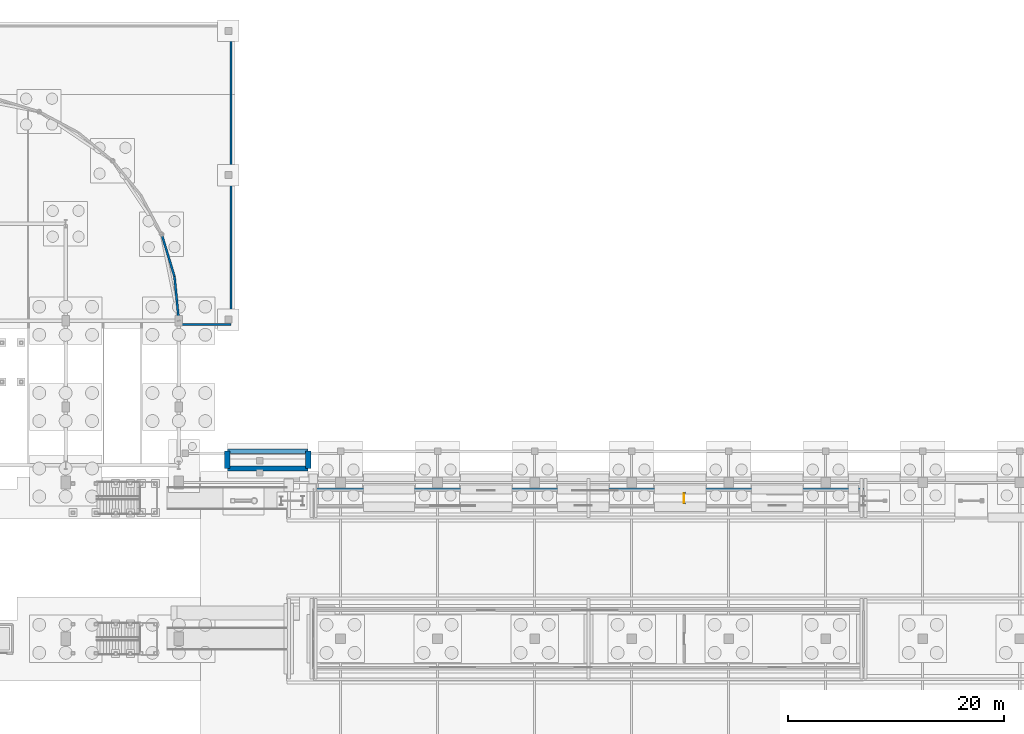
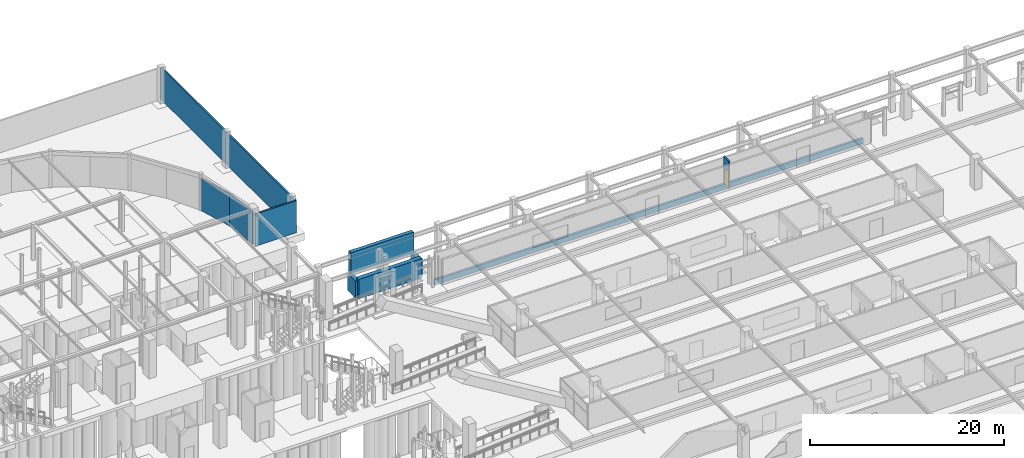
# One storey, part 112 of 160: 10 walls, 1 door, 1 opening.
"""IFC4 building model written with IfcOpenShell, lengths in metres."""

from ifc_helpers import new_model, si_unit, direction, frame, frame_2d, origin, place, context, subcontext, project, spatial, rectangle, extrude, material, layer, layer_set, type_object, element, fill, save


model = new_model("IFC4")

# Units and contexts
model_context = context("Model", 3, precision=1e-05, world=origin(), true_north=direction((0.0, 1.0)))
body_context = subcontext(model_context, "Body", "Model", "MODEL_VIEW")
ifc_project = project(units=[si_unit("LENGTHUNIT", "METRE"), si_unit("AREAUNIT", "SQUARE_METRE"), si_unit("VOLUMEUNIT", "CUBIC_METRE"), si_unit("PLANEANGLEUNIT", "RADIAN"), si_unit("MASSUNIT", "GRAM", prefix="KILO")], contexts=[model_context])

# Site, building, storey
site_placement = place(None, origin())
site = spatial("IfcSite", under=ifc_project, at=site_placement, CompositionType="ELEMENT")
building_placement = place(site_placement, origin())
building = spatial("IfcBuilding", under=site, at=building_placement, Name="Marlcrest Central Station", CompositionType="ELEMENT")
storey_placement = place(building_placement, origin())
storey = spatial("IfcBuildingStorey", under=building, at=storey_placement, Name="L00", CompositionType="ELEMENT", Elevation=0.0)

# Walls
ifc_material_1 = material(Name="Concrete C40/50", Category="concrete")
ifc_layer_1 = layer(ifc_material_1, 0.199951171875, Name="EP-01")
ifc_layer_set_1 = layer_set([ifc_layer_1], Name="Concrete C40/50")
wall_type_1 = type_object("IfcWallType", Name="EP-01", PredefinedType="PARAPET", material=ifc_layer_set_1)
wall_1_placement = place(storey_placement, frame((127.40087890625, 118.535888671875, 0.0), z_axis=(0.0, 0.0, 1.0), x_axis=(0.290328377828, -0.956927078218, 0.0)))
element("IfcWall", 1, at=wall_1_placement, inside=storey, type_object=wall_type_1, Name="ewall-L00-0259", PredefinedType="PARAPET", context=body_context, shape_type="SweptSolid", body=[
    extrude(rectangle(XDim=4.1162109375, YDim=0.199951171875, at=frame_2d((2.05810546875, 0.0))), origin(), (0.0, 0.0, 1.0), 4.0400390625),
])
wall_2_placement = place(storey_placement, frame((128.595947265625, 114.596923828125, 0.0), z_axis=(0.0, 0.0, 1.0), x_axis=(0.098147279383, -0.995171900502, 0.0)))
element("IfcWall", 2, at=wall_2_placement, inside=storey, type_object=wall_type_1, Name="ewall-L00-0260", PredefinedType="PARAPET", context=body_context, shape_type="SweptSolid", body=[
    extrude(rectangle(XDim=4.11669921875, YDim=0.199951171875, at=frame_2d((2.058349609375, 0.0))), origin(), (0.0, 0.0, 1.0), 4.0400390625),
])
wall_3_placement = place(storey_placement, frame((133.85009765625, 137.85009765625, 0.0), z_axis=(0.0, 0.0, 1.0), x_axis=(0.0, -1.0, 0.0)))
element("IfcWall", 3, at=wall_3_placement, inside=storey, type_object=wall_type_1, Name="ewall-L00-0263", PredefinedType="PARAPET", context=body_context, shape_type="SweptSolid", body=[
    extrude(rectangle(XDim=27.7001953125, YDim=0.199951171875, at=frame_2d((13.85009765625, 0.0))), origin(), (0.0, 0.0, 1.0), 4.0400390625),
])
wall_4_placement = place(storey_placement, frame((133.85009765625, 110.14990234375, 0.0), z_axis=(0.0, 0.0, 1.0), x_axis=(-1.0, 0.0, 0.0)))
element("IfcWall", 4, at=wall_4_placement, inside=storey, type_object=wall_type_1, Name="ewall-L00-0264", PredefinedType="PARAPET", context=body_context, shape_type="SweptSolid", body=[
    extrude(rectangle(XDim=4.85009765625, YDim=0.199951171875, at=frame_2d((2.425048828125, 0.0))), origin(), (0.0, 0.0, 1.0), 4.0400390625),
])

# Wall, opening, door
ifc_material_2 = material(Name="Fire-rated corridor blockwork partition", Category="masonry")
ifc_layer_2 = layer(ifc_material_2, 0.179931640625, Name="PT-04")
ifc_layer_set_2 = layer_set([ifc_layer_2], Name="Fire-rated corridor blockwork partition")
wall_type_2 = type_object("IfcWallType", Name="PT-04", PredefinedType="PARTITIONING", material=ifc_layer_set_2)
wall_5_placement = place(storey_placement, frame((175.860107421875, 93.510009765625, 0.9150390625), z_axis=(0.0, 0.0, 1.0), x_axis=(0.0, 1.0, 0.0)))
wall_5 = element("IfcWall", 5, at=wall_5_placement, inside=storey, type_object=wall_type_2, Name="iwall-L00-00027", PredefinedType="PARTITIONING", context=body_context, shape_type="SweptSolid", body=[
    extrude(rectangle(XDim=1.080078125, YDim=0.179931640625, at=frame_2d((0.5400390625, 0.0))), origin(), (0.0, 0.0, 1.0), 3.43505859375),
])
opening_placement = place(wall_5_placement, frame((0.080078125, 0.0, 0.0)))
opening = element("IfcOpeningElement", 6, at=opening_placement, cuts=wall_5, Name="Opening ID-07", PredefinedType="OPENING", context=body_context, shape_type="SweptSolid", body=[
    extrude(rectangle(XDim=0.919921875, YDim=2.10009765625, at=frame_2d((0.4599609375, 1.050048828125))), frame((0.0, 0.099853515625, 0.0), z_axis=(0.0, -1.0, 0.0), x_axis=(1.0, 0.0, 0.0)), (0.0, 0.0, 1.0), 0.199951171875),
])
ifc_material_3 = material(Name="Cleaner and store room door")
door_type = type_object("IfcDoorType", Name="ID-07", OperationType="NOTDEFINED", PredefinedType="DOOR", material=ifc_material_3)
door_placement = place(opening_placement, origin())
door = element("IfcDoor", 7, at=door_placement, inside=storey, type_object=door_type, Name="L00-PC5 0019", OperationType="SINGLE_SWING_RIGHT", OverallHeight=2.10009765625, OverallWidth=0.919921875, PredefinedType="DOOR", context=body_context, shape_type="SweptSolid", body=[
    extrude(rectangle(XDim=0.919921875, YDim=2.10009765625, at=frame_2d((0.4599609375, 1.050048828125))), frame((0.0, 0.02490234375, 0.0), z_axis=(0.0, -1.0, 0.0), x_axis=(1.0, 0.0, 0.0)), (0.0, 0.0, 1.0), 0.050048828125),
])
fill(opening, door)

# Walls
ifc_material_4 = material(Name="Concrete C35/45", Category="concrete")
ifc_layer_3 = layer(ifc_material_4, 0.27490234375, Name="PW-01")
ifc_layer_set_3 = layer_set([ifc_layer_3], Name="Concrete C35/45")
wall_type_3 = type_object("IfcWallType", Name="PW-01", PredefinedType="SOLIDWALL", material=ifc_layer_set_3)
wall_6_placement = place(storey_placement, frame((141.5, 94.85009765625, 0.0), z_axis=(0.0, 0.0, 1.0), x_axis=(1.0, 0.0, 0.0)))
element("IfcWall", 8, at=wall_6_placement, inside=storey, type_object=wall_type_3, Name="swall-L00-0157", PredefinedType="SOLIDWALL", context=body_context, shape_type="SweptSolid", body=[
    extrude(rectangle(XDim=51.0, YDim=0.27490234375, at=frame_2d((25.5, 0.0))), origin(), (0.0, 0.0, 1.0), 0.675048828125),
])
ifc_layer_4 = layer(ifc_material_1, 0.449951171875, Name="RW-01")
ifc_layer_set_4 = layer_set([ifc_layer_4], Name="Concrete C40/50")
wall_type_4 = type_object("IfcWallType", Name="RW-01", PredefinedType="USERDEFINED", material=ifc_layer_set_4)
wall_7_placement = place(storey_placement, frame((133.5, 98.39990234375, 2.14990234375), z_axis=(0.0, 0.0, 1.0), x_axis=(1.0, 0.0, 0.0)))
element("IfcWall", 9, at=wall_7_placement, inside=storey, type_object=wall_type_4, Name="swall-L00-0052", ObjectType="RETAINING_WALL", PredefinedType="USERDEFINED", context=body_context, shape_type="SweptSolid", body=[
    extrude(rectangle(XDim=7.5, YDim=0.449951171875, at=frame_2d((3.75, 0.0))), origin(), (0.0, 0.0, 1.0), 2.650146484375),
])
ifc_layer_5 = layer(ifc_material_1, 0.5, Name="RW-02")
ifc_layer_set_5 = layer_set([ifc_layer_5], Name="Concrete C40/50")
wall_type_5 = type_object("IfcWallType", Name="RW-02", PredefinedType="USERDEFINED", material=ifc_layer_set_5)
wall_8_placement = place(storey_placement, frame((133.5, 96.800048828125, 0.0), z_axis=(0.0, 0.0, 1.0), x_axis=(1.0, 0.0, 0.0)))
element("IfcWall", 10, at=wall_8_placement, inside=storey, type_object=wall_type_5, Name="swall-L00-0051", ObjectType="RETAINING_WALL", PredefinedType="USERDEFINED", context=body_context, shape_type="SweptSolid", body=[
    extrude(rectangle(XDim=7.5, YDim=0.5, at=frame_2d((3.75, 0.0))), origin(), (0.0, 0.0, 1.0), 2.449951171875),
])
for number, where, z_axis, x_axis, name in (
    (11, (133.5, 96.800048828125, 0.0), (0.0, 0.0, 1.0), (0.0, 1.0, 0.0), "swall-L00-0053"),
    (12, (141.0, 96.800048828125, 0.0), (0.0, 0.0, 1.0), (0.0, 1.0, 0.0), "swall-L00-0054"),
):
    element("IfcWall", number, at=place(storey_placement, frame(where, z_axis=z_axis, x_axis=x_axis)), inside=storey, type_object=wall_type_5, Name=name, ObjectType="RETAINING_WALL", PredefinedType="USERDEFINED", context=body_context, shape_type="SweptSolid", body=[
        extrude(rectangle(XDim=1.599853515625, YDim=0.5, at=frame_2d((0.7998046875, 0.0))), origin(), (0.0, 0.0, 1.0), 2.14990234375),
    ])

save(model, "model.ifc")
